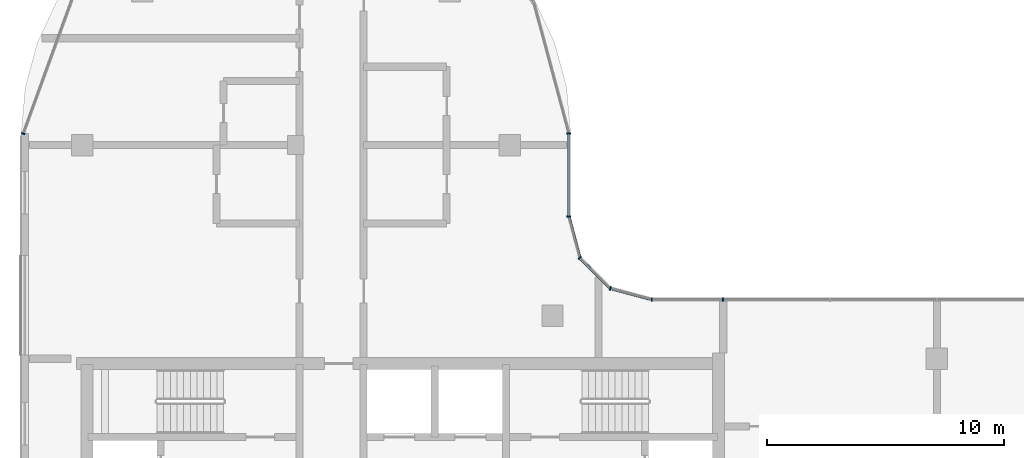
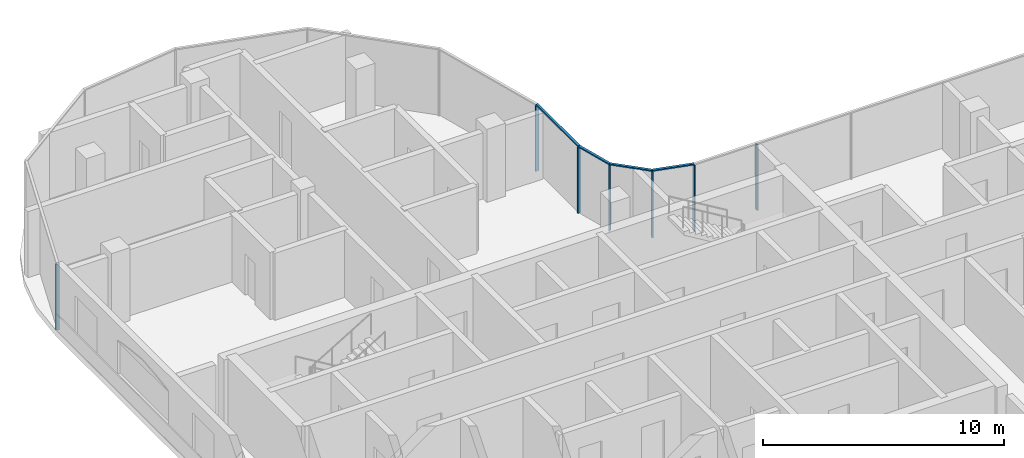
# One storey, part 2 of 18: 11 members, 4 elements without a shape of their own.
"""IFC4 building model written with IfcOpenShell, lengths in metres."""

from ifc_helpers import new_model, si_unit, direction, frame, origin, origin_2d, place, context, subcontext, project, spatial, rectangle, extrude, material, material_profile, profile_set, type_object, element, aggregate, save


model = new_model("IFC4")

# Units and contexts
model_context = context("Model", 3, precision=1e-05, world=origin(), true_north=direction((0.0, 1.0)))
body_context = subcontext(model_context, "Body", "Model", "MODEL_VIEW")
ifc_project = project(units=[si_unit("LENGTHUNIT", "METRE"), si_unit("AREAUNIT", "SQUARE_METRE"), si_unit("VOLUMEUNIT", "CUBIC_METRE"), si_unit("PLANEANGLEUNIT", "RADIAN"), si_unit("MASSUNIT", "GRAM", prefix="KILO")], contexts=[model_context])

# Site, building, storey
site_placement = place(None, origin())
site = spatial("IfcSite", under=ifc_project, at=site_placement, CompositionType="ELEMENT")
building_placement = place(site_placement, origin())
building = spatial("IfcBuilding", under=site, at=building_placement, Name="Ogive Portal Towers", CompositionType="ELEMENT")
storey_placement = place(building_placement, frame((0.0, 0.0, 240.199951171875)))
storey = spatial("IfcBuildingStorey", under=building, at=storey_placement, Name="L60", CompositionType="ELEMENT", Elevation=240.199951171875)

# Curtain wall, members
ifc_material_1 = material(Name="Glass, clear low-iron insulated glazing", Category="glass")
curtain_wall_type = type_object("IfcCurtainWallType", Name="CW FRONT RIBBON 4500", PredefinedType="NOTDEFINED", material=ifc_material_1)
curtain_wall_1_placement = place(storey_placement, origin())
curtain_wall_1 = element("IfcCurtainWall", 1, at=curtain_wall_1_placement, inside=storey, type_object=curtain_wall_type, Name="A:L60:f16:cw0", PredefinedType="NOTDEFINED")
ifc_material_2 = material(Name="Aluminium 6063 anodised", Category="aluminium")
ifc_material_profile_1 = material_profile(ifc_material_2, rectangle(XDim=0.159912109375, YDim=0.06005859375, at=origin_2d()), Name="AL 60x160")
ifc_profile_set_1 = profile_set([ifc_material_profile_1], Name="Aluminium 6063 anodised")
member_type_1 = type_object("IfcMemberType", Name="CW MULLION 60x160", PredefinedType="MULLION", material=ifc_profile_set_1)
member_1_placement = place(storey_placement, frame((58.5, 41.9951171875, 0.0), z_axis=(0.0, 0.0, 1.0), x_axis=(0.0, -1.0, 0.0)))
member_1 = element("IfcMember", 2, at=member_1_placement, type_object=member_type_1, Name="mullion", PredefinedType="MULLION", context=body_context, shape_type="SweptSolid", body=[
    extrude(rectangle(XDim=0.159912109375, YDim=0.06005859375, at=origin_2d()), origin(), (0.0, 0.0, 1.0), 3.340087890625),
])
member_2_placement = place(storey_placement, frame((55.489501953125, 41.9951171875, 0.0), z_axis=(0.0, 0.0, 1.0), x_axis=(0.0, -1.0, 0.0)))
member_2 = element("IfcMember", 3, at=member_2_placement, type_object=member_type_1, Name="mullion", PredefinedType="MULLION", context=body_context, shape_type="SweptSolid", body=[
    extrude(rectangle(XDim=0.159912109375, YDim=0.06005859375, at=origin_2d()), origin(), (0.0, 0.0, 1.0), 3.340087890625),
])
aggregate(curtain_wall_1, [member_1, member_2])

curtain_wall_2_placement = place(storey_placement, origin())
curtain_wall_2 = element("IfcCurtainWall", 4, at=curtain_wall_2_placement, inside=storey, type_object=curtain_wall_type, Name="A:L60:f20:cw0", PredefinedType="NOTDEFINED")
member_3_placement = place(storey_placement, frame((51.9951171875, 45.489501953125, 0.0), z_axis=(0.0, 0.0, 1.0), x_axis=(-1.0, 0.0, 0.0)))
member_3 = element("IfcMember", 5, at=member_3_placement, type_object=member_type_1, Name="mullion", PredefinedType="MULLION", context=body_context, shape_type="SweptSolid", body=[
    extrude(rectangle(XDim=0.159912109375, YDim=0.06005859375, at=origin_2d()), origin(), (0.0, 0.0, 1.0), 3.340087890625),
])
member_4_placement = place(storey_placement, frame((51.9951171875, 48.989501953125, 0.0), z_axis=(0.0, 0.0, 1.0), x_axis=(-1.0, 0.0, 0.0)))
member_4 = element("IfcMember", 6, at=member_4_placement, type_object=member_type_1, Name="mullion", PredefinedType="MULLION", context=body_context, shape_type="SweptSolid", body=[
    extrude(rectangle(XDim=0.159912109375, YDim=0.06005859375, at=origin_2d()), origin(), (0.0, 0.0, 1.0), 3.340087890625),
])

curtain_wall_3_placement = place(storey_placement, origin())
curtain_wall_3 = element("IfcCurtainWall", 7, at=curtain_wall_3_placement, inside=storey, type_object=curtain_wall_type, Name="A:L60:f17:cwa", PredefinedType="NOTDEFINED")
member_5_placement = place(storey_placement, frame((53.74609375, 42.462158203125, 0.0), z_axis=(0.0, 0.0, 1.0), x_axis=(-0.258819045103, -0.965925826289, 0.0)))
member_5 = element("IfcMember", 8, at=member_5_placement, type_object=member_type_1, Name="mullion", PredefinedType="MULLION", context=body_context, shape_type="SweptSolid", body=[
    extrude(rectangle(XDim=0.159912109375, YDim=0.06005859375, at=origin_2d()), origin(), (0.0, 0.0, 1.0), 3.340087890625),
])
member_6_placement = place(storey_placement, frame((52.462158203125, 43.74609375, 0.0), z_axis=(0.0, 0.0, 1.0), x_axis=(-0.707106781187, -0.707106781187, 0.0)))
member_6 = element("IfcMember", 9, at=member_6_placement, type_object=member_type_1, Name="mullion", PredefinedType="MULLION", context=body_context, shape_type="SweptSolid", body=[
    extrude(rectangle(XDim=0.159912109375, YDim=0.06005859375, at=origin_2d()), origin(), (0.0, 0.0, 1.0), 3.340087890625),
])

# Curtain wall, member
curtain_wall_4_placement = place(storey_placement, origin())
curtain_wall_4 = element("IfcCurtainWall", 10, at=curtain_wall_4_placement, inside=storey, type_object=curtain_wall_type, Name="A:L60:f21:cwa", PredefinedType="NOTDEFINED")
member_7_placement = place(storey_placement, frame((29.0048828125, 48.98583984375, 0.0), z_axis=(0.0, 0.0, 1.0), x_axis=(0.939692620786, -0.342020143326, 0.0)))
member_7 = element("IfcMember", 11, at=member_7_placement, type_object=member_type_1, Name="mullion", PredefinedType="MULLION", context=body_context, shape_type="SweptSolid", body=[
    extrude(rectangle(XDim=0.159912109375, YDim=0.06005859375, at=origin_2d()), origin(), (0.0, 0.0, 1.0), 3.340087890625),
])
aggregate(curtain_wall_4, [member_7])

# Member
ifc_material_profile_2 = material_profile(ifc_material_2, rectangle(XDim=0.1201171875, YDim=0.06005859375, at=origin_2d()), Name="AL 120x60")
ifc_profile_set_2 = profile_set([ifc_material_profile_2], Name="Aluminium 6063 anodised")
member_type_2 = type_object("IfcMemberType", Name="CW TRANSOM 60x120", PredefinedType="USERDEFINED", material=ifc_profile_set_2)
member_8_placement = place(storey_placement, frame((51.9951171875, 45.489501953125, 3.3701171875), z_axis=(0.0, 1.0, 0.0), x_axis=(-1.0, 0.0, 0.0)))
member_8 = element("IfcMember", 12, at=member_8_placement, type_object=member_type_2, Name="transom", ObjectType="TRANSOM", PredefinedType="USERDEFINED", context=body_context, shape_type="SweptSolid", body=[
    extrude(rectangle(XDim=0.1201171875, YDim=0.06005859375, at=origin_2d()), origin(), (0.0, 0.0, 1.0), 3.5),
])

aggregate(curtain_wall_2, [member_8, member_3, member_4])

member_9_placement = place(storey_placement, frame((55.489501953125, 41.9951171875, 3.3701171875), z_axis=(-0.965940203089, 0.258765384191, 0.0), x_axis=(-0.258765384191, -0.965940203089, 0.0)))
member_9 = element("IfcMember", 13, at=member_9_placement, type_object=member_type_2, Name="transom", ObjectType="TRANSOM", PredefinedType="USERDEFINED", context=body_context, shape_type="SweptSolid", body=[
    extrude(rectangle(XDim=0.1201171875, YDim=0.06005859375, at=origin_2d()), origin(), (0.0, 0.0, 1.0), 1.804931640625),
])

member_10_placement = place(storey_placement, frame((53.74609375, 42.462158203125, 3.3701171875), z_axis=(-0.707106781187, 0.707106781187, 0.0), x_axis=(-0.707106781187, -0.707106781187, 0.0)))
member_10 = element("IfcMember", 14, at=member_10_placement, type_object=member_type_2, Name="transom", ObjectType="TRANSOM", PredefinedType="USERDEFINED", context=body_context, shape_type="SweptSolid", body=[
    extrude(rectangle(XDim=0.1201171875, YDim=0.06005859375, at=origin_2d()), origin(), (0.0, 0.0, 1.0), 1.815673828125),
])

member_11_placement = place(storey_placement, frame((52.462158203125, 43.74609375, 3.3701171875), z_axis=(-0.258765384191, 0.965940203089, 0.0), x_axis=(-0.965940203089, -0.258765384191, 0.0)))
member_11 = element("IfcMember", 15, at=member_11_placement, type_object=member_type_2, Name="transom", ObjectType="TRANSOM", PredefinedType="USERDEFINED", context=body_context, shape_type="SweptSolid", body=[
    extrude(rectangle(XDim=0.1201171875, YDim=0.06005859375, at=origin_2d()), origin(), (0.0, 0.0, 1.0), 1.804931640625),
])

aggregate(curtain_wall_3, [member_9, member_10, member_11, member_5, member_6])

save(model, "model.ifc")
